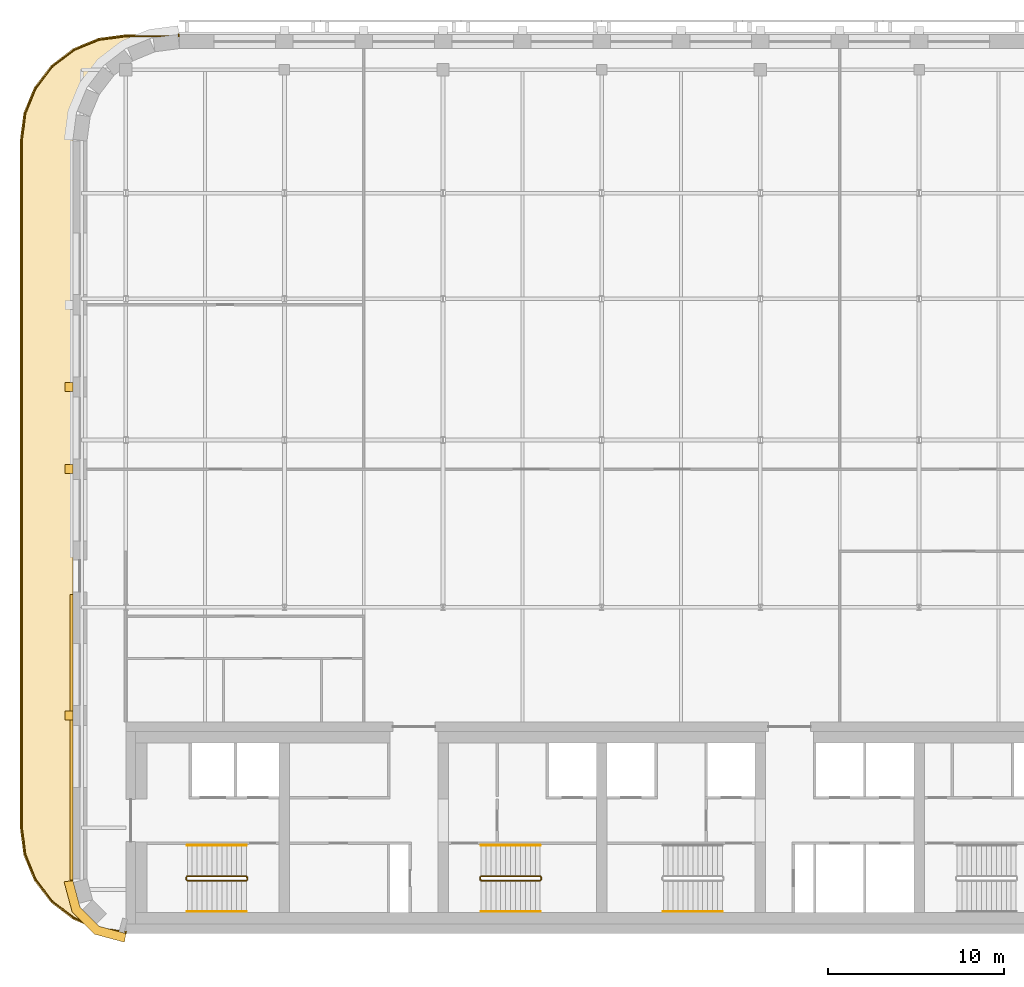
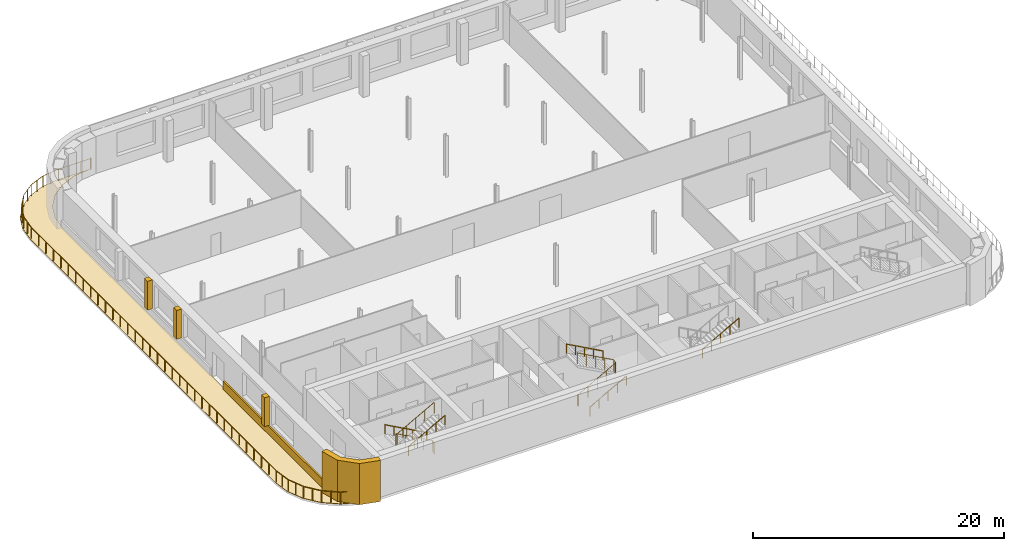
# One storey, part 11 of 13: 8 railings, 6 coverings.
"""IFC4 building model written with IfcOpenShell, lengths in metres."""

from ifc_helpers import new_model, si_unit, direction, frame, origin, origin_2d, place, context, subcontext, project, spatial, polyline, circle, outline, extrude, material, layer, layer_set, type_object, element, save


model = new_model("IFC4")

# Units and contexts
model_context = context("Model", 3, precision=1e-05, world=origin(), true_north=direction((0.0, 1.0)))
body_context = subcontext(model_context, "Body", "Model", "MODEL_VIEW")
ifc_project = project(units=[si_unit("LENGTHUNIT", "METRE"), si_unit("AREAUNIT", "SQUARE_METRE"), si_unit("VOLUMEUNIT", "CUBIC_METRE"), si_unit("PLANEANGLEUNIT", "RADIAN"), si_unit("MASSUNIT", "GRAM", prefix="KILO")], contexts=[model_context])

# Site, building, storey
site_placement = place(None, origin())
site = spatial("IfcSite", under=ifc_project, at=site_placement, CompositionType="ELEMENT")
building_placement = place(site_placement, origin())
building = spatial("IfcBuilding", under=site, at=building_placement, Name="Zellij Exchange Tower", CompositionType="ELEMENT")
storey_placement = place(building_placement, frame((0.0, 0.0, 292.5)))
storey = spatial("IfcBuildingStorey", under=building, at=storey_placement, Name="L69", CompositionType="ELEMENT", Elevation=292.5)

# Railings
ifc_material_1 = material(Name="Stainless steel", Category="steel")
railing_type_1 = type_object("IfcRailingType", Name="CORE-RG stair guard", PredefinedType="GUARDRAIL", material=ifc_material_1)
railing_1_placement = place(storey_placement, frame((-20.10009765625, -10.800048828125, 0.0)))
element("IfcRailing", 1, at=railing_1_placement, inside=storey, type_object=railing_type_1, Name="ST1 stair guard L69", PredefinedType="GUARDRAIL", context=body_context, shape_type="SweptSolid", body=[
    extrude(circle(Radius=0.02392578125, at=origin_2d()), frame((0.0, 0.0, 1.076171875), z_axis=(0.0, -1.0, 0.0), x_axis=(1.0, 0.0, 0.0)), (0.0, 0.0, 1.0), 0.14990234375),
    extrude(circle(Radius=0.02392578125, at=origin_2d()), frame((0.0, -0.14990234375, 1.076171875), z_axis=(-0.193691321961, 0.777613689637, 0.598164376644), x_axis=(-0.970351222016, -0.241699205484, 0.0)), (0.0, 0.0, 1.0), 0.257080078125),
    extrude(circle(Radius=0.02392578125, at=origin_2d()), frame((-0.0498046875, 0.050048828125, 1.22998046875), z_axis=(-0.876421534553, 0.0, 0.481544695509), x_axis=(0.0, -1.0, 0.0)), (0.0, 0.0, 1.0), 3.833984375),
    extrude(circle(Radius=0.02392578125, at=origin_2d()), frame((-3.409912109375, 0.050048828125, 3.076171875), z_axis=(-0.707106781187, -0.707106781187, 0.0), x_axis=(0.707106781187, -0.707106781187, 0.0)), (0.0, 0.0, 1.0), 0.07080078125),
    extrude(circle(Radius=0.02392578125, at=origin_2d()), frame((-3.4599609375, 0.0, 3.076171875), z_axis=(0.0, -1.0, 0.0), x_axis=(1.0, 0.0, 0.0)), (0.0, 0.0, 1.0), 0.14990234375),
    extrude(circle(Radius=0.02392578125, at=origin_2d()), frame((-3.4599609375, -0.14990234375, 3.076171875), z_axis=(0.295599637079, -0.295599637079, 0.908428152975), x_axis=(0.707106781187, 0.707106781187, 0.0)), (0.0, 0.0, 1.0), 0.16943359375),
    extrude(circle(Radius=0.02392578125, at=origin_2d()), frame((-3.409912109375, -0.199951171875, 3.22998046875), z_axis=(0.876421534553, 0.0, 0.481544695509), x_axis=(0.0, 1.0, 0.0)), (0.0, 0.0, 1.0), 3.833984375),
    extrude(circle(Radius=0.02099609375, at=origin_2d()), origin(), (0.0, 0.0, 1.0), 1.052001953125),
    extrude(circle(Radius=0.02099609375, at=origin_2d()), frame((0.0, -0.14990234375, 0.0)), (0.0, 0.0, 1.0), 1.052001953125),
    extrude(circle(Radius=0.02099609375, at=origin_2d()), frame((-0.0498046875, 0.050048828125, 0.15380859375)), (0.0, 0.0, 1.0), 1.052001953125),
    extrude(circle(Radius=0.02099609375, at=origin_2d()), frame((-0.889892578125, 0.050048828125, 0.615234375)), (0.0, 0.0, 1.0), 1.052001953125),
    extrude(circle(Radius=0.02099609375, at=origin_2d()), frame((-1.72998046875, 0.050048828125, 1.076904296875)), (0.0, 0.0, 1.0), 1.052001953125),
    extrude(circle(Radius=0.02099609375, at=origin_2d()), frame((-2.56982421875, 0.050048828125, 1.53857421875)), (0.0, 0.0, 1.0), 1.052001953125),
    extrude(circle(Radius=0.02099609375, at=origin_2d()), frame((-3.409912109375, 0.050048828125, 2.0)), (0.0, 0.0, 1.0), 1.052001953125),
    extrude(circle(Radius=0.02099609375, at=origin_2d()), frame((-3.4599609375, 0.0, 2.0)), (0.0, 0.0, 1.0), 1.052001953125),
    extrude(circle(Radius=0.02099609375, at=origin_2d()), frame((-3.4599609375, -0.14990234375, 2.0)), (0.0, 0.0, 1.0), 1.052001953125),
    extrude(circle(Radius=0.02099609375, at=origin_2d()), frame((-3.409912109375, -0.199951171875, 2.15380859375)), (0.0, 0.0, 1.0), 1.052001953125),
    extrude(circle(Radius=0.02099609375, at=origin_2d()), frame((-2.56982421875, -0.199951171875, 2.615234375)), (0.0, 0.0, 1.0), 1.052001953125),
    extrude(circle(Radius=0.02099609375, at=origin_2d()), frame((-1.72998046875, -0.199951171875, 3.076904296875)), (0.0, 0.0, 1.0), 1.052001953125),
    extrude(circle(Radius=0.02099609375, at=origin_2d()), frame((-0.889892578125, -0.199951171875, 3.53857421875)), (0.0, 0.0, 1.0), 1.052001953125),
    extrude(circle(Radius=0.02099609375, at=origin_2d()), frame((-0.0498046875, -0.199951171875, 4.0)), (0.0, 0.0, 1.0), 1.052001953125),
])
railing_2_placement = place(storey_placement, frame((-6.89990234375, -10.949951171875, 0.0)))
element("IfcRailing", 2, at=railing_2_placement, inside=storey, type_object=railing_type_1, Name="ST2 stair guard L69", PredefinedType="GUARDRAIL", context=body_context, shape_type="SweptSolid", body=[
    extrude(circle(Radius=0.02392578125, at=origin_2d()), frame((0.0, 0.0, 1.076171875), z_axis=(0.0, 1.0, 0.0), x_axis=(-1.0, 0.0, 0.0)), (0.0, 0.0, 1.0), 0.14990234375),
    extrude(circle(Radius=0.02392578125, at=origin_2d()), frame((0.0, 0.14990234375, 1.076171875), z_axis=(0.193691321961, -0.777613689637, 0.598164376644), x_axis=(0.970351222016, 0.241699205484, 0.0)), (0.0, 0.0, 1.0), 0.257080078125),
    extrude(circle(Radius=0.02392578125, at=origin_2d()), frame((0.0498046875, -0.050048828125, 1.22998046875), z_axis=(0.876421534553, 0.0, 0.481544695509), x_axis=(0.0, 1.0, 0.0)), (0.0, 0.0, 1.0), 3.833984375),
    extrude(circle(Radius=0.02392578125, at=origin_2d()), frame((3.409912109375, -0.050048828125, 3.076171875), z_axis=(0.707106781187, 0.707106781187, 0.0), x_axis=(-0.707106781187, 0.707106781187, 0.0)), (0.0, 0.0, 1.0), 0.07080078125),
    extrude(circle(Radius=0.02392578125, at=origin_2d()), frame((3.4599609375, 0.0, 3.076171875), z_axis=(0.0, 1.0, 0.0), x_axis=(-1.0, 0.0, 0.0)), (0.0, 0.0, 1.0), 0.14990234375),
    extrude(circle(Radius=0.02392578125, at=origin_2d()), frame((3.4599609375, 0.14990234375, 3.076171875), z_axis=(-0.295599637079, 0.295599637079, 0.908428152975), x_axis=(-0.707106781187, -0.707106781187, 0.0)), (0.0, 0.0, 1.0), 0.16943359375),
    extrude(circle(Radius=0.02392578125, at=origin_2d()), frame((3.409912109375, 0.199951171875, 3.22998046875), z_axis=(-0.876421534553, 0.0, 0.481544695509), x_axis=(0.0, -1.0, 0.0)), (0.0, 0.0, 1.0), 3.833984375),
    extrude(circle(Radius=0.02099609375, at=origin_2d()), origin(), (0.0, 0.0, 1.0), 1.052001953125),
    extrude(circle(Radius=0.02099609375, at=origin_2d()), frame((0.0, 0.14990234375, 0.0)), (0.0, 0.0, 1.0), 1.052001953125),
    extrude(circle(Radius=0.02099609375, at=origin_2d()), frame((0.0498046875, -0.050048828125, 0.15380859375)), (0.0, 0.0, 1.0), 1.052001953125),
    extrude(circle(Radius=0.02099609375, at=origin_2d()), frame((0.889892578125, -0.050048828125, 0.615234375)), (0.0, 0.0, 1.0), 1.052001953125),
    extrude(circle(Radius=0.02099609375, at=origin_2d()), frame((1.72998046875, -0.050048828125, 1.076904296875)), (0.0, 0.0, 1.0), 1.052001953125),
    extrude(circle(Radius=0.02099609375, at=origin_2d()), frame((2.56982421875, -0.050048828125, 1.53857421875)), (0.0, 0.0, 1.0), 1.052001953125),
    extrude(circle(Radius=0.02099609375, at=origin_2d()), frame((3.409912109375, -0.050048828125, 2.0)), (0.0, 0.0, 1.0), 1.052001953125),
    extrude(circle(Radius=0.02099609375, at=origin_2d()), frame((3.4599609375, 0.0, 2.0)), (0.0, 0.0, 1.0), 1.052001953125),
    extrude(circle(Radius=0.02099609375, at=origin_2d()), frame((3.4599609375, 0.14990234375, 2.0)), (0.0, 0.0, 1.0), 1.052001953125),
    extrude(circle(Radius=0.02099609375, at=origin_2d()), frame((3.409912109375, 0.199951171875, 2.15380859375)), (0.0, 0.0, 1.0), 1.052001953125),
    extrude(circle(Radius=0.02099609375, at=origin_2d()), frame((2.56982421875, 0.199951171875, 2.615234375)), (0.0, 0.0, 1.0), 1.052001953125),
    extrude(circle(Radius=0.02099609375, at=origin_2d()), frame((1.72998046875, 0.199951171875, 3.076904296875)), (0.0, 0.0, 1.0), 1.052001953125),
    extrude(circle(Radius=0.02099609375, at=origin_2d()), frame((0.889892578125, 0.199951171875, 3.53857421875)), (0.0, 0.0, 1.0), 1.052001953125),
    extrude(circle(Radius=0.02099609375, at=origin_2d()), frame((0.0498046875, 0.199951171875, 4.0)), (0.0, 0.0, 1.0), 1.052001953125),
])
railing_type_2 = type_object("IfcRailingType", Name="CORE-RH stair handrail", PredefinedType="HANDRAIL", material=ifc_material_1)
railing_3_placement = place(storey_placement, frame((-20.14990234375, -9.0, 0.15380859375)))
element("IfcRailing", 3, at=railing_3_placement, inside=storey, type_object=railing_type_2, Name="ST1 stair handrail L69", PredefinedType="HANDRAIL", context=body_context, shape_type="SweptSolid", body=[
    extrude(circle(Radius=0.02392578125, at=origin_2d()), frame((0.0, 0.0, 0.8759765625), z_axis=(-0.876421534553, 0.0, 0.481544695509), x_axis=(0.0, -1.0, 0.0)), (0.0, 0.0, 1.0), 3.833984375),
    extrude(circle(Radius=0.02099609375, at=origin_2d()), origin(), (0.0, 0.0, 1.0), 0.851806640625),
    extrude(circle(Radius=0.02099609375, at=origin_2d()), frame((-0.840087890625, 0.0, 0.46142578125)), (0.0, 0.0, 1.0), 0.851806640625),
    extrude(circle(Radius=0.02099609375, at=origin_2d()), frame((-1.68017578125, 0.0, 0.923095703125)), (0.0, 0.0, 1.0), 0.851806640625),
    extrude(circle(Radius=0.02099609375, at=origin_2d()), frame((-2.52001953125, 0.0, 1.384765625)), (0.0, 0.0, 1.0), 0.851806640625),
    extrude(circle(Radius=0.02099609375, at=origin_2d()), frame((-3.360107421875, 0.0, 1.84619140625)), (0.0, 0.0, 1.0), 0.851806640625),
])
for number, where, name in (
    (4, (-23.510009765625, -12.75, 2.15380859375), "ST1 stair handrail L69"),
    (5, (-6.85009765625, -12.75, 0.15380859375), "ST2 stair handrail L69"),
):
    element("IfcRailing", number, at=place(storey_placement, frame(where)), inside=storey, type_object=railing_type_2, Name=name, PredefinedType="HANDRAIL", context=body_context, shape_type="SweptSolid", body=[
        extrude(circle(Radius=0.02392578125, at=origin_2d()), frame((0.0, 0.0, 0.8759765625), z_axis=(0.876421534553, 0.0, 0.481544695509), x_axis=(0.0, 1.0, 0.0)), (0.0, 0.0, 1.0), 3.833984375),
        extrude(circle(Radius=0.02099609375, at=origin_2d()), origin(), (0.0, 0.0, 1.0), 0.851806640625),
        extrude(circle(Radius=0.02099609375, at=origin_2d()), frame((0.840087890625, 0.0, 0.46142578125)), (0.0, 0.0, 1.0), 0.851806640625),
        extrude(circle(Radius=0.02099609375, at=origin_2d()), frame((1.68017578125, 0.0, 0.923095703125)), (0.0, 0.0, 1.0), 0.851806640625),
        extrude(circle(Radius=0.02099609375, at=origin_2d()), frame((2.52001953125, 0.0, 1.384765625)), (0.0, 0.0, 1.0), 0.851806640625),
        extrude(circle(Radius=0.02099609375, at=origin_2d()), frame((3.360107421875, 0.0, 1.84619140625)), (0.0, 0.0, 1.0), 0.851806640625),
    ])
railing_4_placement = place(storey_placement, frame((-3.489990234375, -9.0, 2.15380859375)))
element("IfcRailing", 6, at=railing_4_placement, inside=storey, type_object=railing_type_2, Name="ST2 stair handrail L69", PredefinedType="HANDRAIL", context=body_context, shape_type="SweptSolid", body=[
    extrude(circle(Radius=0.02392578125, at=origin_2d()), frame((0.0, 0.0, 0.8759765625), z_axis=(-0.876421534553, 0.0, 0.481544695509), x_axis=(0.0, -1.0, 0.0)), (0.0, 0.0, 1.0), 3.833984375),
    extrude(circle(Radius=0.02099609375, at=origin_2d()), origin(), (0.0, 0.0, 1.0), 0.851806640625),
    extrude(circle(Radius=0.02099609375, at=origin_2d()), frame((-0.840087890625, 0.0, 0.46142578125)), (0.0, 0.0, 1.0), 0.851806640625),
    extrude(circle(Radius=0.02099609375, at=origin_2d()), frame((-1.68017578125, 0.0, 0.923095703125)), (0.0, 0.0, 1.0), 0.851806640625),
    extrude(circle(Radius=0.02099609375, at=origin_2d()), frame((-2.52001953125, 0.0, 1.384765625)), (0.0, 0.0, 1.0), 0.851806640625),
    extrude(circle(Radius=0.02099609375, at=origin_2d()), frame((-3.360107421875, 0.0, 1.84619140625)), (0.0, 0.0, 1.0), 0.851806640625),
])
railing_5_placement = place(storey_placement, frame((3.489990234375, -12.75, 2.15380859375)))
element("IfcRailing", 7, at=railing_5_placement, inside=storey, type_object=railing_type_2, Name="ST3 stair handrail L69", PredefinedType="HANDRAIL", context=body_context, shape_type="SweptSolid", body=[
    extrude(circle(Radius=0.02392578125, at=origin_2d()), frame((0.0, 0.0, 0.8759765625), z_axis=(0.876421534553, 0.0, 0.481544695509), x_axis=(0.0, 1.0, 0.0)), (0.0, 0.0, 1.0), 3.833984375),
    extrude(circle(Radius=0.02099609375, at=origin_2d()), origin(), (0.0, 0.0, 1.0), 0.851806640625),
    extrude(circle(Radius=0.02099609375, at=origin_2d()), frame((0.840087890625, 0.0, 0.46142578125)), (0.0, 0.0, 1.0), 0.851806640625),
    extrude(circle(Radius=0.02099609375, at=origin_2d()), frame((1.68017578125, 0.0, 0.923095703125)), (0.0, 0.0, 1.0), 0.851806640625),
    extrude(circle(Radius=0.02099609375, at=origin_2d()), frame((2.52001953125, 0.0, 1.384765625)), (0.0, 0.0, 1.0), 0.851806640625),
    extrude(circle(Radius=0.02099609375, at=origin_2d()), frame((3.360107421875, 0.0, 1.84619140625)), (0.0, 0.0, 1.0), 0.851806640625),
])

# Coverings
ifc_material_2 = material(Name="Limestone cladding", Category="masonry")
ifc_layer_1 = layer(ifc_material_2, 0.14990234375)
ifc_layer_set_1 = layer_set([ifc_layer_1], Name="Limestone cladding")
covering_type_1 = type_object("IfcCoveringType", Name="ENV-CV1 Stone spandrel band 150", PredefinedType="CLADDING", material=ifc_layer_set_1)
covering_1_placement = place(storey_placement, origin())
element("IfcCovering", 8, at=covering_1_placement, inside=storey, type_object=covering_type_1, Name="Stone spandrel band", PredefinedType="CLADDING", context=body_context, shape_type="SweptSolid", body=[
    extrude(outline(polyline([(-30.0, 5.234375), (-30.0, -10.947265625), (-30.14990234375, -10.967041015625), (-30.14990234375, 5.234375), (-30.0, 5.234375)])), origin(), (0.0, 0.0, 1.0), 0.800048828125),
])
ifc_layer_2 = layer(ifc_material_2, 0.5)
ifc_layer_set_2 = layer_set([ifc_layer_2], Name="Limestone cladding")
covering_type_2 = type_object("IfcCoveringType", Name="ENV-CV12 Stone corner pier 500", PredefinedType="CLADDING", material=ifc_layer_set_2)
covering_2_placement = place(storey_placement, origin())
element("IfcCovering", 9, at=covering_2_placement, inside=storey, type_object=covering_type_2, Name="Stone corner pier", PredefinedType="CLADDING", context=body_context, shape_type="SweptSolid", body=[
    extrude(outline(polyline([(-30.0, -11.0), (-29.59814453125, -12.5), (-28.5, -13.59814453125), (-27.0, -14.0), (-27.06591796875, -14.5), (-28.7587890625, -14.04638671875), (-30.04638671875, -12.7587890625), (-30.5, -11.06591796875), (-30.0, -11.0)])), origin(), (0.0, 0.0, 1.0), 4.0),
])
covering_type_3 = type_object("IfcCoveringType", Name="ENV-CV4 Stone pier 500x450", PredefinedType="CLADDING", material=ifc_material_2)
covering_3_placement = place(storey_placement, frame((0.0, 0.0, 0.800048828125)))
element("IfcCovering", 10, at=covering_3_placement, inside=storey, type_object=covering_type_3, Name="Stone pier", PredefinedType="CLADDING", context=body_context, shape_type="SweptSolid", body=[
    extrude(outline(polyline([(-30.0, 17.25), (-30.0, 16.75), (-30.449951171875, 16.75), (-30.449951171875, 17.25), (-30.0, 17.25)])), origin(), (0.0, 0.0, 1.0), 2.800048828125),
])
covering_4_placement = place(storey_placement, frame((0.0, 0.0, 0.800048828125)))
element("IfcCovering", 11, at=covering_4_placement, inside=storey, type_object=covering_type_3, Name="Stone pier", PredefinedType="CLADDING", context=body_context, shape_type="SweptSolid", body=[
    extrude(outline(polyline([(-30.0, 12.59228515625), (-30.0, 12.09228515625), (-30.449951171875, 12.09228515625), (-30.449951171875, 12.59228515625), (-30.0, 12.59228515625)])), origin(), (0.0, 0.0, 1.0), 2.800048828125),
])
covering_5_placement = place(storey_placement, frame((0.0, 0.0, 0.800048828125)))
element("IfcCovering", 12, at=covering_5_placement, inside=storey, type_object=covering_type_3, Name="Stone pier", PredefinedType="CLADDING", context=body_context, shape_type="SweptSolid", body=[
    extrude(outline(polyline([(-30.0, -1.381591796875), (-30.0, -1.881591796875), (-30.449951171875, -1.881591796875), (-30.449951171875, -1.381591796875), (-30.0, -1.381591796875)])), origin(), (0.0, 0.0, 1.0), 2.800048828125),
])

# Railing
ifc_material_3 = material(Name="Bronze-finished aluminium", Category="aluminium")
railing_type_3 = type_object("IfcRailingType", Name="ENV-GR1 Terrace guard", PredefinedType="GUARDRAIL", material=ifc_material_3)
railing_6_placement = place(storey_placement, frame((-24.000732421875, 37.0, 0.0)))
element("IfcRailing", 13, at=railing_6_placement, inside=storey, type_object=railing_type_3, Name="Terrace guard", PredefinedType="GUARDRAIL", context=body_context, shape_type="SweptSolid", body=[
    extrude(circle(Radius=0.02490234375, at=origin_2d()), frame((0.0, 0.0, 1.0751953125), z_axis=(0.0, -1.0, 0.0), x_axis=(1.0, 0.0, 0.0)), (0.0, 0.0, 1.0), 0.10009765625),
    extrude(circle(Radius=0.02490234375, at=origin_2d()), frame((0.0, -0.10009765625, 1.0751953125), z_axis=(-1.0, 0.0, 0.0), x_axis=(0.0, -1.0, 0.0)), (0.0, 0.0, 1.0), 2.99267578125),
    extrude(circle(Radius=0.02490234375, at=origin_2d()), frame((-2.99267578125, -0.10009765625, 1.0751953125), z_axis=(-0.991463426777, -0.130385096405, 0.0), x_axis=(0.130385096405, -0.991463426777, 0.0)), (0.0, 0.0, 1.0), 1.546630859375),
    extrude(circle(Radius=0.02490234375, at=origin_2d()), frame((-4.526123046875, -0.3017578125, 1.0751953125), z_axis=(-0.923881586142, -0.382678474425, 0.0), x_axis=(0.382678474425, -0.923881586142, 0.0)), (0.0, 0.0, 1.0), 1.5400390625),
    extrude(circle(Radius=0.02490234375, at=origin_2d()), frame((-5.948974609375, -0.89111328125, 1.0751953125), z_axis=(-0.793330694412, -0.608790940556, 0.0), x_axis=(0.608790940556, -0.793330694412, 0.0)), (0.0, 0.0, 1.0), 1.5400390625),
    extrude(circle(Radius=0.02490234375, at=origin_2d()), frame((-7.170654296875, -1.82861328125, 1.0751953125), z_axis=(-0.608790940556, -0.793330694412, 0.0), x_axis=(0.793330694412, -0.608790940556, 0.0)), (0.0, 0.0, 1.0), 1.5400390625),
    extrude(circle(Radius=0.02490234375, at=origin_2d()), frame((-8.108154296875, -3.05029296875, 1.0751953125), z_axis=(-0.382678474425, -0.923881586142, 0.0), x_axis=(0.923881586142, -0.382678474425, 0.0)), (0.0, 0.0, 1.0), 1.5400390625),
    extrude(circle(Radius=0.02490234375, at=origin_2d()), frame((-8.697509765625, -4.47314453125, 1.0751953125), z_axis=(-0.130385096405, -0.991463426777, 0.0), x_axis=(0.991463426777, -0.130385096405, 0.0)), (0.0, 0.0, 1.0), 1.546630859375),
    extrude(circle(Radius=0.02490234375, at=origin_2d()), frame((-8.899169921875, -6.006591796875, 1.0751953125), z_axis=(0.0, -1.0, 0.0), x_axis=(1.0, 0.0, 0.0)), (0.0, 0.0, 1.0), 38.98681640625),
    extrude(circle(Radius=0.02490234375, at=origin_2d()), frame((-8.899169921875, -44.993408203125, 1.0751953125), z_axis=(0.130385096405, -0.991463426777, 0.0), x_axis=(0.991463426777, 0.130385096405, 0.0)), (0.0, 0.0, 1.0), 1.546630859375),
    extrude(circle(Radius=0.02490234375, at=origin_2d()), frame((-8.697509765625, -46.52685546875, 1.0751953125), z_axis=(0.382678474425, -0.923881586142, 0.0), x_axis=(0.923881586142, 0.382678474425, 0.0)), (0.0, 0.0, 1.0), 1.5400390625),
    extrude(circle(Radius=0.02490234375, at=origin_2d()), frame((-8.108154296875, -47.94970703125, 1.0751953125), z_axis=(0.608790940556, -0.793330694412, 0.0), x_axis=(0.793330694412, 0.608790940556, 0.0)), (0.0, 0.0, 1.0), 1.5400390625),
    extrude(circle(Radius=0.02490234375, at=origin_2d()), frame((-7.170654296875, -49.17138671875, 1.0751953125), z_axis=(0.793330694412, -0.608790940556, 0.0), x_axis=(0.608790940556, 0.793330694412, 0.0)), (0.0, 0.0, 1.0), 1.5400390625),
    extrude(circle(Radius=0.02490234375, at=origin_2d()), frame((-5.948974609375, -50.10888671875, 1.0751953125), z_axis=(0.923881586142, -0.382678474425, 0.0), x_axis=(0.382678474425, 0.923881586142, 0.0)), (0.0, 0.0, 1.0), 1.5400390625),
    extrude(circle(Radius=0.02490234375, at=origin_2d()), frame((-4.526123046875, -50.6982421875, 1.0751953125), z_axis=(0.991443586136, -0.130535878251, 0.0), x_axis=(0.130535878251, 0.991443586136, 0.0)), (0.0, 0.0, 1.0), 1.55224609375),
    extrude(circle(Radius=0.02490234375, at=origin_2d()), frame((-2.987060546875, -50.90087890625, 1.0751953125), z_axis=(-0.129443595313, -0.991586786738, 0.0), x_axis=(0.991586786738, -0.129443595313, 0.0)), (0.0, 0.0, 1.0), 0.099853515625),
    extrude(circle(Radius=0.030029296875, at=origin_2d()), origin(), (0.0, 0.0, 1.0), 1.050048828125),
    extrude(circle(Radius=0.030029296875, at=origin_2d()), frame((0.0, -0.10009765625, 0.0)), (0.0, 0.0, 1.0), 1.050048828125),
    extrude(circle(Radius=0.030029296875, at=origin_2d()), frame((-0.99755859375, -0.10009765625, 0.0)), (0.0, 0.0, 1.0), 1.050048828125),
    extrude(circle(Radius=0.030029296875, at=origin_2d()), frame((-1.9951171875, -0.10009765625, 0.0)), (0.0, 0.0, 1.0), 1.050048828125),
    extrude(circle(Radius=0.030029296875, at=origin_2d()), frame((-2.99267578125, -0.10009765625, 0.0)), (0.0, 0.0, 1.0), 1.050048828125),
    extrude(circle(Radius=0.030029296875, at=origin_2d()), frame((-3.75927734375, -0.200927734375, 0.0)), (0.0, 0.0, 1.0), 1.050048828125),
    extrude(circle(Radius=0.030029296875, at=origin_2d()), frame((-4.526123046875, -0.3017578125, 0.0)), (0.0, 0.0, 1.0), 1.050048828125),
    extrude(circle(Radius=0.030029296875, at=origin_2d()), frame((-5.237548828125, -0.596435546875, 0.0)), (0.0, 0.0, 1.0), 1.050048828125),
    extrude(circle(Radius=0.030029296875, at=origin_2d()), frame((-5.948974609375, -0.89111328125, 0.0)), (0.0, 0.0, 1.0), 1.050048828125),
    extrude(circle(Radius=0.030029296875, at=origin_2d()), frame((-6.559814453125, -1.35986328125, 0.0)), (0.0, 0.0, 1.0), 1.050048828125),
    extrude(circle(Radius=0.030029296875, at=origin_2d()), frame((-7.170654296875, -1.82861328125, 0.0)), (0.0, 0.0, 1.0), 1.050048828125),
    extrude(circle(Radius=0.030029296875, at=origin_2d()), frame((-7.639404296875, -2.439453125, 0.0)), (0.0, 0.0, 1.0), 1.050048828125),
    extrude(circle(Radius=0.030029296875, at=origin_2d()), frame((-8.108154296875, -3.05029296875, 0.0)), (0.0, 0.0, 1.0), 1.050048828125),
    extrude(circle(Radius=0.030029296875, at=origin_2d()), frame((-8.40283203125, -3.76171875, 0.0)), (0.0, 0.0, 1.0), 1.050048828125),
    extrude(circle(Radius=0.030029296875, at=origin_2d()), frame((-8.697509765625, -4.47314453125, 0.0)), (0.0, 0.0, 1.0), 1.050048828125),
    extrude(circle(Radius=0.030029296875, at=origin_2d()), frame((-8.79833984375, -5.23974609375, 0.0)), (0.0, 0.0, 1.0), 1.050048828125),
    extrude(circle(Radius=0.030029296875, at=origin_2d()), frame((-8.899169921875, -6.006591796875, 0.0)), (0.0, 0.0, 1.0), 1.050048828125),
    extrude(circle(Radius=0.030029296875, at=origin_2d()), frame((-8.899169921875, -7.18798828125, 0.0)), (0.0, 0.0, 1.0), 1.050048828125),
    extrude(circle(Radius=0.030029296875, at=origin_2d()), frame((-8.899169921875, -8.369384765625, 0.0)), (0.0, 0.0, 1.0), 1.050048828125),
    extrude(circle(Radius=0.030029296875, at=origin_2d()), frame((-8.899169921875, -9.55078125, 0.0)), (0.0, 0.0, 1.0), 1.050048828125),
    extrude(circle(Radius=0.030029296875, at=origin_2d()), frame((-8.899169921875, -10.732177734375, 0.0)), (0.0, 0.0, 1.0), 1.050048828125),
    extrude(circle(Radius=0.030029296875, at=origin_2d()), frame((-8.899169921875, -11.91357421875, 0.0)), (0.0, 0.0, 1.0), 1.050048828125),
    extrude(circle(Radius=0.030029296875, at=origin_2d()), frame((-8.899169921875, -13.09521484375, 0.0)), (0.0, 0.0, 1.0), 1.050048828125),
    extrude(circle(Radius=0.030029296875, at=origin_2d()), frame((-8.899169921875, -14.276611328125, 0.0)), (0.0, 0.0, 1.0), 1.050048828125),
    extrude(circle(Radius=0.030029296875, at=origin_2d()), frame((-8.899169921875, -15.4580078125, 0.0)), (0.0, 0.0, 1.0), 1.050048828125),
    extrude(circle(Radius=0.030029296875, at=origin_2d()), frame((-8.899169921875, -16.639404296875, 0.0)), (0.0, 0.0, 1.0), 1.050048828125),
    extrude(circle(Radius=0.030029296875, at=origin_2d()), frame((-8.899169921875, -17.82080078125, 0.0)), (0.0, 0.0, 1.0), 1.050048828125),
    extrude(circle(Radius=0.030029296875, at=origin_2d()), frame((-8.899169921875, -19.002197265625, 0.0)), (0.0, 0.0, 1.0), 1.050048828125),
    extrude(circle(Radius=0.030029296875, at=origin_2d()), frame((-8.899169921875, -20.18359375, 0.0)), (0.0, 0.0, 1.0), 1.050048828125),
    extrude(circle(Radius=0.030029296875, at=origin_2d()), frame((-8.899169921875, -21.364990234375, 0.0)), (0.0, 0.0, 1.0), 1.050048828125),
    extrude(circle(Radius=0.030029296875, at=origin_2d()), frame((-8.899169921875, -22.54638671875, 0.0)), (0.0, 0.0, 1.0), 1.050048828125),
    extrude(circle(Radius=0.030029296875, at=origin_2d()), frame((-8.899169921875, -23.727783203125, 0.0)), (0.0, 0.0, 1.0), 1.050048828125),
    extrude(circle(Radius=0.030029296875, at=origin_2d()), frame((-8.899169921875, -24.9091796875, 0.0)), (0.0, 0.0, 1.0), 1.050048828125),
    extrude(circle(Radius=0.030029296875, at=origin_2d()), frame((-8.899169921875, -26.0908203125, 0.0)), (0.0, 0.0, 1.0), 1.050048828125),
    extrude(circle(Radius=0.030029296875, at=origin_2d()), frame((-8.899169921875, -27.272216796875, 0.0)), (0.0, 0.0, 1.0), 1.050048828125),
    extrude(circle(Radius=0.030029296875, at=origin_2d()), frame((-8.899169921875, -28.45361328125, 0.0)), (0.0, 0.0, 1.0), 1.050048828125),
    extrude(circle(Radius=0.030029296875, at=origin_2d()), frame((-8.899169921875, -29.635009765625, 0.0)), (0.0, 0.0, 1.0), 1.050048828125),
    extrude(circle(Radius=0.030029296875, at=origin_2d()), frame((-8.899169921875, -30.81640625, 0.0)), (0.0, 0.0, 1.0), 1.050048828125),
    extrude(circle(Radius=0.030029296875, at=origin_2d()), frame((-8.899169921875, -31.997802734375, 0.0)), (0.0, 0.0, 1.0), 1.050048828125),
    extrude(circle(Radius=0.030029296875, at=origin_2d()), frame((-8.899169921875, -33.17919921875, 0.0)), (0.0, 0.0, 1.0), 1.050048828125),
    extrude(circle(Radius=0.030029296875, at=origin_2d()), frame((-8.899169921875, -34.360595703125, 0.0)), (0.0, 0.0, 1.0), 1.050048828125),
    extrude(circle(Radius=0.030029296875, at=origin_2d()), frame((-8.899169921875, -35.5419921875, 0.0)), (0.0, 0.0, 1.0), 1.050048828125),
    extrude(circle(Radius=0.030029296875, at=origin_2d()), frame((-8.899169921875, -36.723388671875, 0.0)), (0.0, 0.0, 1.0), 1.050048828125),
    extrude(circle(Radius=0.030029296875, at=origin_2d()), frame((-8.899169921875, -37.90478515625, 0.0)), (0.0, 0.0, 1.0), 1.050048828125),
    extrude(circle(Radius=0.030029296875, at=origin_2d()), frame((-8.899169921875, -39.08642578125, 0.0)), (0.0, 0.0, 1.0), 1.050048828125),
    extrude(circle(Radius=0.030029296875, at=origin_2d()), frame((-8.899169921875, -40.267822265625, 0.0)), (0.0, 0.0, 1.0), 1.050048828125),
    extrude(circle(Radius=0.030029296875, at=origin_2d()), frame((-8.899169921875, -41.44921875, 0.0)), (0.0, 0.0, 1.0), 1.050048828125),
    extrude(circle(Radius=0.030029296875, at=origin_2d()), frame((-8.899169921875, -42.630615234375, 0.0)), (0.0, 0.0, 1.0), 1.050048828125),
    extrude(circle(Radius=0.030029296875, at=origin_2d()), frame((-8.899169921875, -43.81201171875, 0.0)), (0.0, 0.0, 1.0), 1.050048828125),
    extrude(circle(Radius=0.030029296875, at=origin_2d()), frame((-8.899169921875, -44.993408203125, 0.0)), (0.0, 0.0, 1.0), 1.050048828125),
    extrude(circle(Radius=0.030029296875, at=origin_2d()), frame((-8.79833984375, -45.76025390625, 0.0)), (0.0, 0.0, 1.0), 1.050048828125),
    extrude(circle(Radius=0.030029296875, at=origin_2d()), frame((-8.697509765625, -46.52685546875, 0.0)), (0.0, 0.0, 1.0), 1.050048828125),
    extrude(circle(Radius=0.030029296875, at=origin_2d()), frame((-8.40283203125, -47.23828125, 0.0)), (0.0, 0.0, 1.0), 1.050048828125),
    extrude(circle(Radius=0.030029296875, at=origin_2d()), frame((-8.108154296875, -47.94970703125, 0.0)), (0.0, 0.0, 1.0), 1.050048828125),
    extrude(circle(Radius=0.030029296875, at=origin_2d()), frame((-7.639404296875, -48.560546875, 0.0)), (0.0, 0.0, 1.0), 1.050048828125),
    extrude(circle(Radius=0.030029296875, at=origin_2d()), frame((-7.170654296875, -49.17138671875, 0.0)), (0.0, 0.0, 1.0), 1.050048828125),
    extrude(circle(Radius=0.030029296875, at=origin_2d()), frame((-6.559814453125, -49.64013671875, 0.0)), (0.0, 0.0, 1.0), 1.050048828125),
    extrude(circle(Radius=0.030029296875, at=origin_2d()), frame((-5.948974609375, -50.10888671875, 0.0)), (0.0, 0.0, 1.0), 1.050048828125),
    extrude(circle(Radius=0.030029296875, at=origin_2d()), frame((-5.237548828125, -50.403564453125, 0.0)), (0.0, 0.0, 1.0), 1.050048828125),
    extrude(circle(Radius=0.030029296875, at=origin_2d()), frame((-4.526123046875, -50.6982421875, 0.0)), (0.0, 0.0, 1.0), 1.050048828125),
    extrude(circle(Radius=0.030029296875, at=origin_2d()), frame((-3.756591796875, -50.799560546875, 0.0)), (0.0, 0.0, 1.0), 1.050048828125),
    extrude(circle(Radius=0.030029296875, at=origin_2d()), frame((-2.987060546875, -50.90087890625, 0.0)), (0.0, 0.0, 1.0), 1.050048828125),
    extrude(circle(Radius=0.030029296875, at=origin_2d()), frame((-3.0, -51.0, 0.0)), (0.0, 0.0, 1.0), 1.050048828125),
])

# Covering
ifc_material_4 = material(Name="Limestone paving", Category="masonry")
ifc_layer_3 = layer(ifc_material_4, 0.0400390625)
ifc_layer_set_3 = layer_set([ifc_layer_3], Name="Limestone paving")
covering_type_4 = type_object("IfcCoveringType", Name="ENV-PV2 Terrace paving 40", PredefinedType="FLOORING", material=ifc_layer_set_3)
covering_6_placement = place(storey_placement, frame((0.0, 0.0, -0.0400390625)))
element("IfcCovering", 14, at=covering_6_placement, inside=storey, type_object=covering_type_4, Name="Terrace paving", PredefinedType="FLOORING", context=body_context, shape_type="SweptSolid", body=[
    extrude(outline(polyline([(-27.0, -14.0), (-28.5, -13.59814453125), (-29.59814453125, -12.5), (-30.0, -11.0), (-30.0, 31.0), (-29.795654296875, 32.552978515625), (-29.1962890625, 34.0), (-28.24267578125, 35.24267578125), (-27.0, 36.1962890625), (-25.552978515625, 36.795654296875), (-24.0, 37.0), (-27.0, 37.0), (-28.552978515625, 36.795654296875), (-30.0, 36.1962890625), (-31.24267578125, 35.24267578125), (-32.1962890625, 34.0), (-32.795654296875, 32.552978515625), (-33.0, 31.0), (-33.0, -8.0), (-32.795654296875, -9.552978515625), (-32.1962890625, -11.0), (-31.24267578125, -12.24267578125), (-30.0, -13.1962890625), (-28.552978515625, -13.795654296875), (-27.0, -14.0)])), origin(), (0.0, 0.0, 1.0), 0.0400390625),
])

save(model, "model.ifc")
